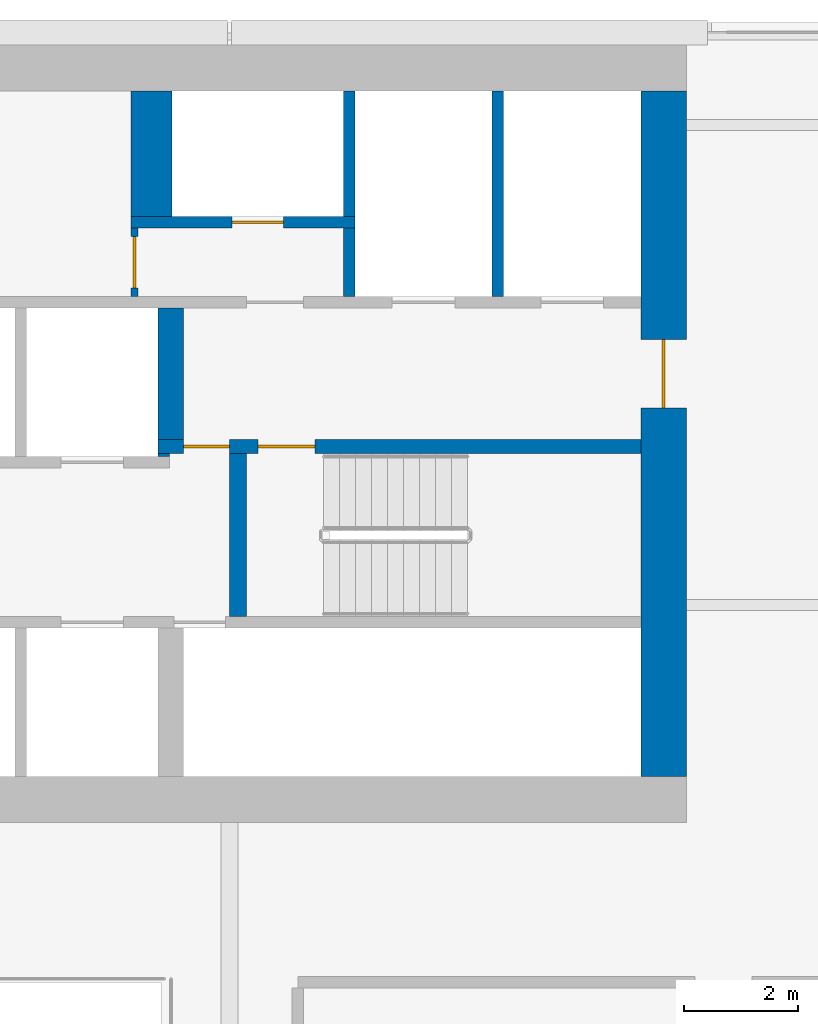
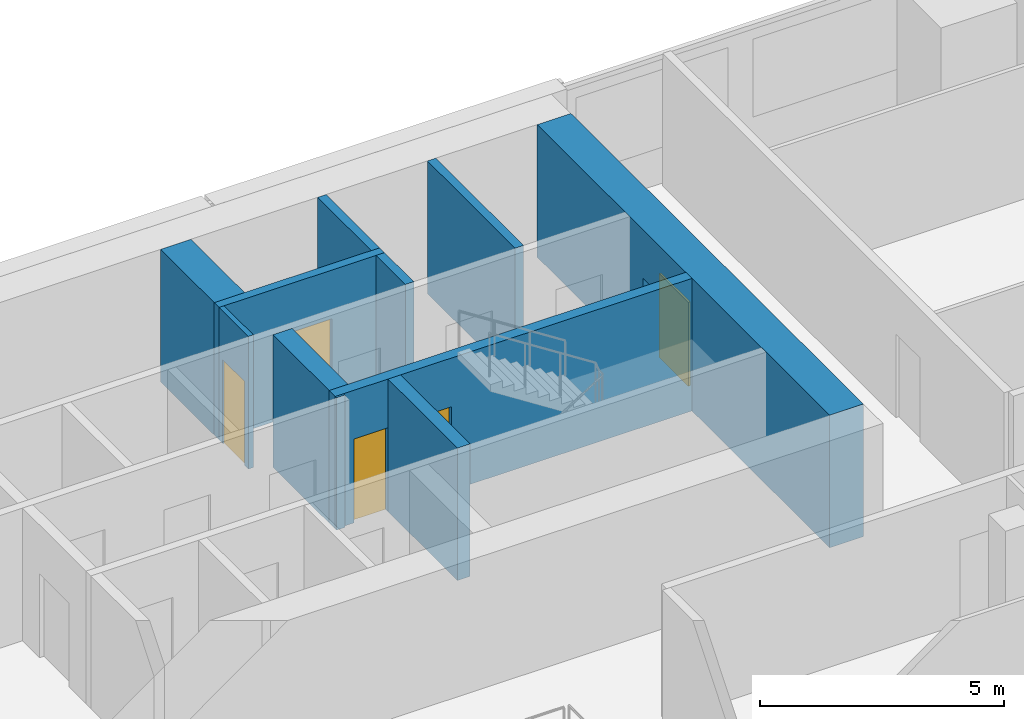
# One storey, part 21 of 27: 11 walls, 5 doors, 5 openings.
"""IFC4 building model written with IfcOpenShell, lengths in metres."""

from ifc_helpers import new_model, si_unit, direction, frame, frame_2d, origin, place, context, subcontext, project, spatial, rectangle, extrude, material, layer, layer_set, type_object, element, fill, save


model = new_model("IFC4")

# Units and contexts
model_context = context("Model", 3, precision=1e-05, world=origin(), true_north=direction((0.0, 1.0)))
body_context = subcontext(model_context, "Body", "Model", "MODEL_VIEW")
ifc_project = project(units=[si_unit("LENGTHUNIT", "METRE"), si_unit("AREAUNIT", "SQUARE_METRE"), si_unit("VOLUMEUNIT", "CUBIC_METRE"), si_unit("PLANEANGLEUNIT", "RADIAN"), si_unit("MASSUNIT", "GRAM", prefix="KILO")], contexts=[model_context])

# Site, building, storey
site_placement = place(None, origin())
site = spatial("IfcSite", under=ifc_project, at=site_placement, CompositionType="ELEMENT")
building_placement = place(site_placement, origin())
building = spatial("IfcBuilding", under=site, at=building_placement, Name="Saffron Gate Tower", CompositionType="ELEMENT")
storey_placement = place(building_placement, frame((0.0, 0.0, 183.449951171875)))
storey = spatial("IfcBuildingStorey", under=building, at=storey_placement, Name="L45", CompositionType="ELEMENT", Elevation=183.449951171875)

# Wall, opening, door
ifc_material_1 = material(Name="Concrete C60", Category="concrete")
ifc_layer_1 = layer(ifc_material_1, 0.800048828125)
ifc_layer_set_1 = layer_set([ifc_layer_1], Name="CW13 RC core wall 800 C60")
wall_type_1 = type_object("IfcWallType", Name="CW13 RC core wall 800 C60", PredefinedType="SOLIDWALL", material=ifc_layer_set_1)
wall_1_placement = place(storey_placement, frame((107.800048828125, 62.39990234375, 0.0), z_axis=(0.0, 0.0, 1.0), x_axis=(0.0, 1.0, 0.0)))
wall_1 = element("IfcWall", 1, at=wall_1_placement, inside=storey, type_object=wall_type_1, Name="Wall CW13-L45-4", PredefinedType="SOLIDWALL", context=body_context, shape_type="SweptSolid", body=[
    extrude(rectangle(XDim=12.0, YDim=0.800048828125, at=frame_2d((6.0, 0.0))), origin(), (0.0, 0.0, 1.0), 3.320068359375),
])
opening_1_placement = place(wall_1_placement, frame((6.449951171875, 0.0, 0.0)))
opening_1 = element("IfcOpeningElement", 2, at=opening_1_placement, cuts=wall_1, Name="Opening CR-08", PredefinedType="OPENING", context=body_context, shape_type="SweptSolid", body=[
    extrude(rectangle(XDim=1.199951171875, YDim=2.10009765625, at=frame_2d((0.60009765625, 1.050048828125))), frame((0.0, 0.41015625, 0.0), z_axis=(0.0, -1.0, 0.0), x_axis=(1.0, 0.0, 0.0)), (0.0, 0.0, 1.0), 0.820068359375),
])
ifc_material_2 = material(Name="Steel fire door set", Category="steel")
door_type_1 = type_object("IfcDoorType", Name="CD7 Core entrance door 1200x2100 EI 120", OperationType="NOTDEFINED", PredefinedType="DOOR", material=ifc_material_2)
door_1_placement = place(opening_1_placement, origin())
door_1 = element("IfcDoor", 3, at=door_1_placement, inside=storey, type_object=door_type_1, Name="DOOR CR-08", OperationType="SINGLE_SWING_RIGHT", OverallHeight=2.10009765625, OverallWidth=1.199951171875, PredefinedType="DOOR", context=body_context, shape_type="SweptSolid", body=[
    extrude(rectangle(XDim=1.199951171875, YDim=2.10009765625, at=frame_2d((0.60009765625, 1.050048828125))), frame((0.0, 0.02490234375, 0.0), z_axis=(0.0, -1.0, 0.0), x_axis=(1.0, 0.0, 0.0)), (0.0, 0.0, 1.0), 0.050048828125),
])
fill(opening_1, door_1)

# Wall, openings, doors
ifc_layer_2 = layer(ifc_material_1, 0.25)
ifc_layer_set_2 = layer_set([ifc_layer_2], Name="CW14 RC core wall 250 C60")
wall_type_2 = type_object("IfcWallType", Name="CW14 RC core wall 250 C60", PredefinedType="SOLIDWALL", material=ifc_layer_set_2)
wall_2_placement = place(storey_placement, frame((98.949951171875, 68.175048828125, 0.0), z_axis=(0.0, 0.0, 1.0), x_axis=(1.0, 0.0, 0.0)))
wall_2 = element("IfcWall", 4, at=wall_2_placement, inside=storey, type_object=wall_type_2, Name="Wall CW14-L45-30", PredefinedType="SOLIDWALL", context=body_context, shape_type="SweptSolid", body=[
    extrude(rectangle(XDim=8.449951171875, YDim=0.25, at=frame_2d((4.22509765625, 0.0))), origin(), (0.0, 0.0, 1.0), 3.320068359375),
])
opening_2_placement = place(wall_2_placement, frame((0.449951171875, 0.0, 0.0)))
opening_2 = element("IfcOpeningElement", 5, at=opening_2_placement, cuts=wall_2, Name="Opening CR-05", PredefinedType="OPENING", context=body_context, shape_type="SweptSolid", body=[
    extrude(rectangle(XDim=0.800048828125, YDim=2.10009765625, at=frame_2d((0.39990234375, 1.050048828125))), frame((0.0, 0.135009765625, 0.0), z_axis=(0.0, -1.0, 0.0), x_axis=(1.0, 0.0, 0.0)), (0.0, 0.0, 1.0), 0.27001953125),
])
opening_3_placement = place(wall_2_placement, frame((1.75, 0.0, 0.0)))
opening_3 = element("IfcOpeningElement", 6, at=opening_3_placement, cuts=wall_2, Name="Opening CR-16", PredefinedType="OPENING", context=body_context, shape_type="SweptSolid", body=[
    extrude(rectangle(XDim=1.0, YDim=2.10009765625, at=frame_2d((0.5, 1.050048828125))), frame((0.0, 0.135009765625, 0.0), z_axis=(0.0, -1.0, 0.0), x_axis=(1.0, 0.0, 0.0)), (0.0, 0.0, 1.0), 0.27001953125),
])
door_type_2 = type_object("IfcDoorType", Name="CD5 Stair door 1000x2100 EI 120", OperationType="NOTDEFINED", PredefinedType="DOOR", material=ifc_material_2)
door_2_placement = place(opening_3_placement, origin())
door_2 = element("IfcDoor", 7, at=door_2_placement, inside=storey, type_object=door_type_2, Name="DOOR CR-16", OperationType="SINGLE_SWING_RIGHT", OverallHeight=2.10009765625, OverallWidth=1.0, PredefinedType="DOOR", context=body_context, shape_type="SweptSolid", body=[
    extrude(rectangle(XDim=1.0, YDim=2.10009765625, at=frame_2d((0.5, 1.050048828125))), frame((0.0, 0.02490234375, 0.0), z_axis=(0.0, -1.0, 0.0), x_axis=(1.0, 0.0, 0.0)), (0.0, 0.0, 1.0), 0.050048828125),
])
fill(opening_3, door_2)
door_type_3 = type_object("IfcDoorType", Name="CD6 Lobby door 800x2100 EI 120", OperationType="NOTDEFINED", PredefinedType="DOOR", material=ifc_material_2)
door_3_placement = place(opening_2_placement, origin())
door_3 = element("IfcDoor", 8, at=door_3_placement, inside=storey, type_object=door_type_3, Name="DOOR CR-05", OperationType="SINGLE_SWING_LEFT", OverallHeight=2.10009765625, OverallWidth=0.800048828125, PredefinedType="DOOR", context=body_context, shape_type="SweptSolid", body=[
    extrude(rectangle(XDim=0.800048828125, YDim=2.10009765625, at=frame_2d((0.39990234375, 1.050048828125))), frame((0.0, 0.02490234375, 0.0), z_axis=(0.0, -1.0, 0.0), x_axis=(1.0, 0.0, 0.0)), (0.0, 0.0, 1.0), 0.050048828125),
])
fill(opening_2, door_3)

# Walls
ifc_layer_3 = layer(ifc_material_1, 0.199951171875)
ifc_layer_set_3 = layer_set([ifc_layer_3], Name="CW15 RC core wall 200 C60")
wall_type_3 = type_object("IfcWallType", Name="CW15 RC core wall 200 C60", PredefinedType="SOLIDWALL", material=ifc_layer_set_3)
wall_3_placement = place(storey_placement, frame((102.300048828125, 70.800048828125, 0.0), z_axis=(0.0, 0.0, 1.0), x_axis=(0.0, 1.0, 0.0)))
element("IfcWall", 9, at=wall_3_placement, inside=storey, type_object=wall_type_3, Name="Wall CW15-L45-40", PredefinedType="SOLIDWALL", context=body_context, shape_type="SweptSolid", body=[
    extrude(rectangle(XDim=1.199951171875, YDim=0.199951171875, at=frame_2d((0.60009765625, 0.0))), origin(), (0.0, 0.0, 1.0), 3.320068359375),
])
wall_4_placement = place(storey_placement, frame((104.89990234375, 70.800048828125, 0.0), z_axis=(0.0, 0.0, 1.0), x_axis=(0.0, 1.0, 0.0)))
element("IfcWall", 10, at=wall_4_placement, inside=storey, type_object=wall_type_3, Name="Wall CW15-L45-41", PredefinedType="SOLIDWALL", context=body_context, shape_type="SweptSolid", body=[
    extrude(rectangle(XDim=3.599853515625, YDim=0.199951171875, at=frame_2d((1.7998046875, 0.0))), origin(), (0.0, 0.0, 1.0), 3.320068359375),
])

# Wall, opening, door
wall_5_placement = place(storey_placement, frame((98.47998046875, 72.10009765625, 0.0), z_axis=(0.0, 0.0, 1.0), x_axis=(1.0, 0.0, 0.0)))
wall_5 = element("IfcWall", 11, at=wall_5_placement, inside=storey, type_object=wall_type_3, Name="Wall CW15-L45-43", PredefinedType="SOLIDWALL", context=body_context, shape_type="SweptSolid", body=[
    extrude(rectangle(XDim=3.919921875, YDim=0.199951171875, at=frame_2d((1.9599609375, 0.0))), origin(), (0.0, 0.0, 1.0), 3.320068359375),
])
opening_4_placement = place(wall_5_placement, frame((1.77001953125, 0.0, 0.0)))
opening_4 = element("IfcOpeningElement", 12, at=opening_4_placement, cuts=wall_5, Name="Opening CR-70", PredefinedType="OPENING", context=body_context, shape_type="SweptSolid", body=[
    extrude(rectangle(XDim=0.89990234375, YDim=2.10009765625, at=frame_2d((0.449951171875, 1.050048828125))), frame((0.0, 0.10986328125, 0.0), z_axis=(0.0, -1.0, 0.0), x_axis=(1.0, 0.0, 0.0)), (0.0, 0.0, 1.0), 0.219970703125),
])
door_type_4 = type_object("IfcDoorType", Name="CD2 Riser door 900x2100 EI 60", OperationType="NOTDEFINED", PredefinedType="DOOR", material=ifc_material_2)
door_4_placement = place(opening_4_placement, origin())
door_4 = element("IfcDoor", 13, at=door_4_placement, inside=storey, type_object=door_type_4, Name="DOOR CR-70", OperationType="SINGLE_SWING_LEFT", OverallHeight=2.10009765625, OverallWidth=0.89990234375, PredefinedType="DOOR", context=body_context, shape_type="SweptSolid", body=[
    extrude(rectangle(XDim=0.89990234375, YDim=2.10009765625, at=frame_2d((0.449951171875, 1.050048828125))), frame((0.0, 0.02490234375, 0.0), z_axis=(0.0, -1.0, 0.0), x_axis=(1.0, 0.0, 0.0)), (0.0, 0.0, 1.0), 0.050048828125),
])
fill(opening_4, door_4)

# Walls
wall_6_placement = place(storey_placement, frame((102.300048828125, 72.199951171875, 0.0), z_axis=(0.0, 0.0, 1.0), x_axis=(0.0, 1.0, 0.0)))
element("IfcWall", 14, at=wall_6_placement, inside=storey, type_object=wall_type_3, Name="Wall CW15-L45-48", PredefinedType="SOLIDWALL", context=body_context, shape_type="SweptSolid", body=[
    extrude(rectangle(XDim=2.199951171875, YDim=0.199951171875, at=frame_2d((1.10009765625, 0.0))), origin(), (0.0, 0.0, 1.0), 3.320068359375),
])
ifc_layer_4 = layer(ifc_material_1, 0.449951171875)
ifc_layer_set_4 = layer_set([ifc_layer_4], Name="CW16 RC core wall 450 C60")
wall_type_4 = type_object("IfcWallType", Name="CW16 RC core wall 450 C60", PredefinedType="SOLIDWALL", material=ifc_layer_set_4)
wall_7_placement = place(storey_placement, frame((99.175048828125, 68.300048828125, 0.0), z_axis=(0.0, 0.0, 1.0), x_axis=(0.0, 1.0, 0.0)))
element("IfcWall", 15, at=wall_7_placement, inside=storey, type_object=wall_type_4, Name="Wall CW16-L45-32", PredefinedType="SOLIDWALL", context=body_context, shape_type="SweptSolid", body=[
    extrude(rectangle(XDim=2.300048828125, YDim=0.449951171875, at=frame_2d((1.14990234375, 0.0))), origin(), (0.0, 0.0, 1.0), 3.320068359375),
])
ifc_layer_5 = layer(ifc_material_1, 0.300048828125)
ifc_layer_set_5 = layer_set([ifc_layer_5], Name="CW17 RC core wall 300 C60")
wall_type_5 = type_object("IfcWallType", Name="CW17 RC core wall 300 C60", PredefinedType="SOLIDWALL", material=ifc_layer_set_5)
wall_8_placement = place(storey_placement, frame((100.35009765625, 65.199951171875, 0.0), z_axis=(0.0, 0.0, 1.0), x_axis=(0.0, 1.0, 0.0)))
element("IfcWall", 16, at=wall_8_placement, inside=storey, type_object=wall_type_5, Name="Wall CW17-L45-18", PredefinedType="SOLIDWALL", context=body_context, shape_type="SweptSolid", body=[
    extrude(rectangle(XDim=2.85009765625, YDim=0.300048828125, at=frame_2d((1.425048828125, 0.0))), origin(), (0.0, 0.0, 1.0), 3.320068359375),
])
ifc_layer_6 = layer(ifc_material_1, 0.050048828125)
ifc_layer_set_6 = layer_set([ifc_layer_6], Name="CW18 RC core wall 50 C60")
wall_type_6 = type_object("IfcWallType", Name="CW18 RC core wall 50 C60", PredefinedType="SOLIDWALL", material=ifc_layer_set_6)
wall_9_placement = place(storey_placement, frame((98.949951171875, 68.02490234375, 0.0), z_axis=(0.0, 0.0, 1.0), x_axis=(1.0, 0.0, 0.0)))
element("IfcWall", 17, at=wall_9_placement, inside=storey, type_object=wall_type_6, Name="Wall CW18-L45-28", PredefinedType="SOLIDWALL", context=body_context, shape_type="SweptSolid", body=[
    extrude(rectangle(XDim=0.199951171875, YDim=0.050048828125, at=frame_2d((0.10009765625, 0.0))), origin(), (0.0, 0.0, 1.0), 3.320068359375),
])
ifc_layer_7 = layer(ifc_material_1, 0.719970703125)
ifc_layer_set_7 = layer_set([ifc_layer_7], Name="CW21 RC core wall 720 C60")
wall_type_7 = type_object("IfcWallType", Name="CW21 RC core wall 720 C60", PredefinedType="SOLIDWALL", material=ifc_layer_set_7)
wall_10_placement = place(storey_placement, frame((98.840087890625, 72.199951171875, 0.0), z_axis=(0.0, 0.0, 1.0), x_axis=(0.0, 1.0, 0.0)))
element("IfcWall", 18, at=wall_10_placement, inside=storey, type_object=wall_type_7, Name="Wall CW21-L45-47", PredefinedType="SOLIDWALL", context=body_context, shape_type="SweptSolid", body=[
    extrude(rectangle(XDim=2.199951171875, YDim=0.719970703125, at=frame_2d((1.10009765625, 0.0))), origin(), (0.0, 0.0, 1.0), 3.320068359375),
])

# Wall, opening, door
ifc_material_3 = material(Name="Gypsum board partition on steel studs", Category="steel")
ifc_layer_8 = layer(ifc_material_3, 0.1201171875)
ifc_layer_set_8 = layer_set([ifc_layer_8], Name="CW8 Core partition 120")
wall_type_8 = type_object("IfcWallType", Name="CW8 Core partition 120", PredefinedType="PARTITIONING", material=ifc_layer_set_8)
wall_11_placement = place(storey_placement, frame((98.5400390625, 70.800048828125, 0.0), z_axis=(0.0, 0.0, 1.0), x_axis=(0.0, 1.0, 0.0)))
wall_11 = element("IfcWall", 19, at=wall_11_placement, inside=storey, type_object=wall_type_8, Name="Wall CW8-L45-39", PredefinedType="PARTITIONING", context=body_context, shape_type="SweptSolid", body=[
    extrude(rectangle(XDim=1.199951171875, YDim=0.1201171875, at=frame_2d((0.60009765625, 0.0))), origin(), (0.0, 0.0, 1.0), 3.320068359375),
])
opening_5_placement = place(wall_11_placement, frame((0.14990234375, 0.0, 0.0)))
opening_5 = element("IfcOpeningElement", 20, at=opening_5_placement, cuts=wall_11, Name="Opening CR-54", PredefinedType="OPENING", context=body_context, shape_type="SweptSolid", body=[
    extrude(rectangle(XDim=0.89990234375, YDim=2.10009765625, at=frame_2d((0.449951171875, 1.050048828125))), frame((0.0, 0.070068359375, 0.0), z_axis=(0.0, -1.0, 0.0), x_axis=(1.0, 0.0, 0.0)), (0.0, 0.0, 1.0), 0.14013671875),
])
door_type_5 = type_object("IfcDoorType", Name="CD9 Room door 900x2100 EI 60", OperationType="NOTDEFINED", PredefinedType="DOOR", material=ifc_material_2)
door_5_placement = place(opening_5_placement, origin())
door_5 = element("IfcDoor", 21, at=door_5_placement, inside=storey, type_object=door_type_5, Name="DOOR CR-54", OperationType="SINGLE_SWING_LEFT", OverallHeight=2.10009765625, OverallWidth=0.89990234375, PredefinedType="DOOR", context=body_context, shape_type="SweptSolid", body=[
    extrude(rectangle(XDim=0.89990234375, YDim=2.10009765625, at=frame_2d((0.449951171875, 1.050048828125))), frame((0.0, 0.02490234375, 0.0), z_axis=(0.0, -1.0, 0.0), x_axis=(1.0, 0.0, 0.0)), (0.0, 0.0, 1.0), 0.050048828125),
])
fill(opening_5, door_5)

save(model, "model.ifc")
